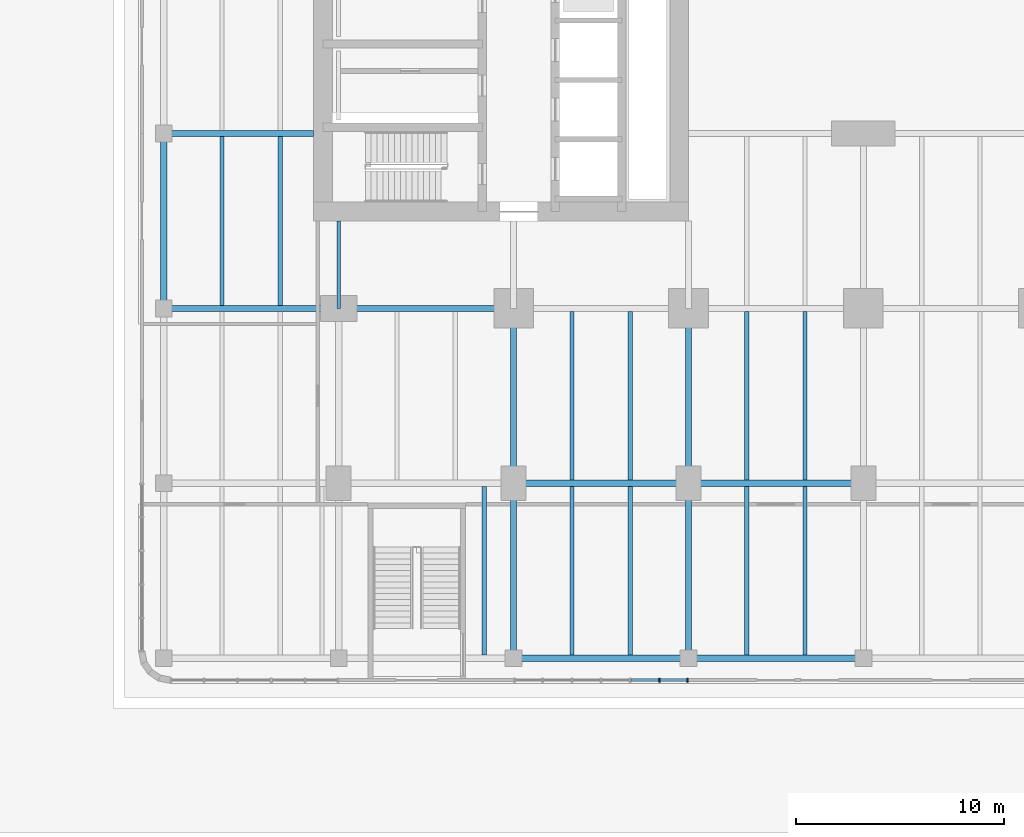
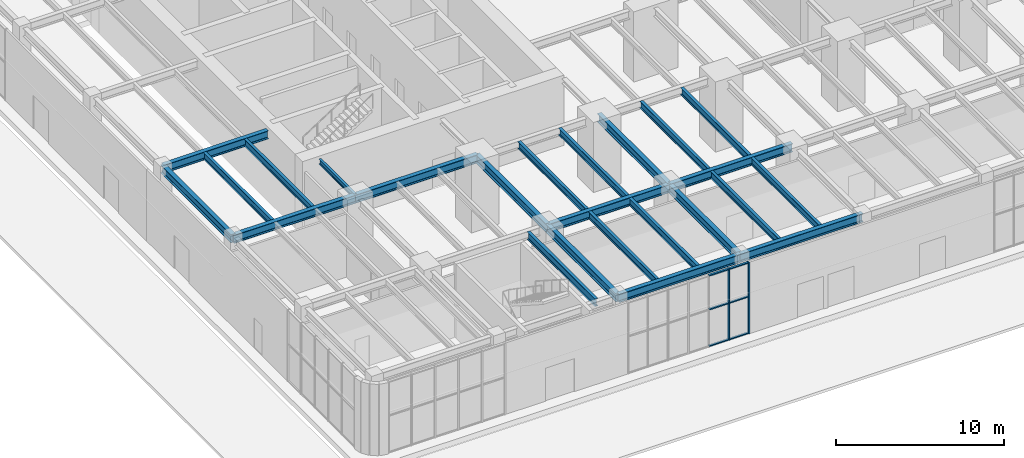
# One storey, part 3 of 31: 24 beams, 8 members, 1 element without a shape of its own.
"""IFC4 building model written with IfcOpenShell, lengths in metres."""

from ifc_helpers import new_model, si_unit, direction, frame, origin, origin_2d, place, context, subcontext, project, spatial, rectangle, i_section, extrude, material, material_profile, profile_set, type_object, element, aggregate, save


model = new_model("IFC4")

# Units and contexts
model_context = context("Model", 3, precision=1e-05, world=origin(), true_north=direction((0.0, 1.0)))
body_context = subcontext(model_context, "Body", "Model", "MODEL_VIEW")
ifc_project = project(units=[si_unit("LENGTHUNIT", "METRE"), si_unit("AREAUNIT", "SQUARE_METRE"), si_unit("VOLUMEUNIT", "CUBIC_METRE"), si_unit("PLANEANGLEUNIT", "RADIAN"), si_unit("MASSUNIT", "GRAM", prefix="KILO")], contexts=[model_context])

# Site, building, storey
site_placement = place(None, origin())
site = spatial("IfcSite", under=ifc_project, at=site_placement, CompositionType="ELEMENT")
building_placement = place(site_placement, origin())
building = spatial("IfcBuilding", under=site, at=building_placement, Name="Claustro Exchange Tower", CompositionType="ELEMENT")
storey_placement = place(building_placement, origin())
storey = spatial("IfcBuildingStorey", under=building, at=storey_placement, Name="L00", CompositionType="ELEMENT", Elevation=0.0)

# Beams
ifc_material_1 = material(Name="Steel S355", Category="steel")
ifc_material_profile_1 = material_profile(ifc_material_1, i_section(OverallWidth=0.300048828125, OverallDepth=0.60009765625, WebThickness=0.015380859375, FlangeThickness=0.030029296875, FilletRadius=0.027099609375, at=origin_2d()), Name="HE 600 B")
ifc_profile_set_1 = profile_set([ifc_material_profile_1], Name="Steel S355")
beam_type_1 = type_object("IfcBeamType", Name="B1 HE 600 B floor girder", PredefinedType="BEAM", material=ifc_profile_set_1)
beam_1_placement = place(storey_placement, frame((-8.39990234375, 8.39990234375, 4.89990234375), z_axis=(0.0, 1.0, 0.0), x_axis=(-1.0, 0.0, 0.0)))
element("IfcBeam", 1, at=beam_1_placement, inside=storey, type_object=beam_type_1, Name="Beam B1 L01", PredefinedType="BEAM", context=body_context, shape_type="SweptSolid", body=[
    extrude(i_section(OverallWidth=0.300048828125, OverallDepth=0.60009765625, WebThickness=0.015380859375, FlangeThickness=0.030029296875, FilletRadius=0.027099609375, at=origin_2d()), origin(), (0.0, 0.0, 1.0), 8.400146484375),
])
for number, where, z_axis, x_axis, name in (
    (2, (8.39990234375, -8.39990234375, 4.89990234375), (0.0, 1.0, 0.0), (-1.0, 0.0, 0.0), "Beam B1 L01"),
    (3, (8.39990234375, 0.0, 4.89990234375), (0.0, 1.0, 0.0), (-1.0, 0.0, 0.0), "Beam B1 L01"),
    (4, (16.800048828125, -8.39990234375, 4.89990234375), (0.0, 1.0, 0.0), (-1.0, 0.0, 0.0), "Beam B1 L01"),
    (5, (16.800048828125, 0.0, 4.89990234375), (0.0, 1.0, 0.0), (-1.0, 0.0, 0.0), "Beam B1 L01"),
):
    element("IfcBeam", number, at=place(storey_placement, frame(where, z_axis=z_axis, x_axis=x_axis)), inside=storey, type_object=beam_type_1, Name=name, PredefinedType="BEAM", context=body_context, shape_type="SweptSolid", body=[
        extrude(i_section(OverallWidth=0.300048828125, OverallDepth=0.60009765625, WebThickness=0.015380859375, FlangeThickness=0.030029296875, FilletRadius=0.027099609375, at=origin_2d()), origin(), (0.0, 0.0, 1.0), 8.39990234375),
    ])
beam_2_placement = place(storey_placement, frame((8.39990234375, -8.39990234375, 4.89990234375), z_axis=(1.0, 0.0, 0.0), x_axis=(0.0, 1.0, 0.0)))
element("IfcBeam", 6, at=beam_2_placement, inside=storey, type_object=beam_type_1, Name="Beam B1 L01", PredefinedType="BEAM", context=body_context, shape_type="SweptSolid", body=[
    extrude(i_section(OverallWidth=0.300048828125, OverallDepth=0.60009765625, WebThickness=0.015380859375, FlangeThickness=0.030029296875, FilletRadius=0.027099609375, at=origin_2d()), origin(), (0.0, 0.0, 1.0), 8.400146484375),
])
beam_3_placement = place(storey_placement, frame((16.800048828125, -8.39990234375, 4.89990234375), z_axis=(1.0, 0.0, 0.0), x_axis=(0.0, 1.0, 0.0)))
element("IfcBeam", 7, at=beam_3_placement, inside=storey, type_object=beam_type_1, Name="Beam B1 L01", PredefinedType="BEAM", context=body_context, shape_type="SweptSolid", body=[
    extrude(i_section(OverallWidth=0.300048828125, OverallDepth=0.60009765625, WebThickness=0.015380859375, FlangeThickness=0.030029296875, FilletRadius=0.027099609375, at=origin_2d()), origin(), (0.0, 0.0, 1.0), 8.39990234375),
])
beam_4_placement = place(storey_placement, frame((8.39990234375, 0.0, 4.89990234375), z_axis=(1.0, 0.0, 0.0), x_axis=(0.0, 1.0, 0.0)))
element("IfcBeam", 8, at=beam_4_placement, inside=storey, type_object=beam_type_1, Name="Beam B1 L01", PredefinedType="BEAM", context=body_context, shape_type="SweptSolid", body=[
    extrude(i_section(OverallWidth=0.300048828125, OverallDepth=0.60009765625, WebThickness=0.015380859375, FlangeThickness=0.030029296875, FilletRadius=0.027099609375, at=origin_2d()), origin(), (0.0, 0.0, 1.0), 8.400146484375),
])
for number, where, z_axis, x_axis, name in (
    (9, (16.800048828125, 0.0, 4.89990234375), (1.0, 0.0, 0.0), (0.0, 1.0, 0.0), "Beam B1 L01"),
    (10, (-8.39990234375, 8.39990234375, 4.89990234375), (1.0, 0.0, 0.0), (0.0, 1.0, 0.0), "Beam B1 L01"),
    (11, (0.0, 8.39990234375, 4.89990234375), (1.0, 0.0, 0.0), (0.0, 1.0, 0.0), "Beam B1 L01"),
):
    element("IfcBeam", number, at=place(storey_placement, frame(where, z_axis=z_axis, x_axis=x_axis)), inside=storey, type_object=beam_type_1, Name=name, PredefinedType="BEAM", context=body_context, shape_type="SweptSolid", body=[
        extrude(i_section(OverallWidth=0.300048828125, OverallDepth=0.60009765625, WebThickness=0.015380859375, FlangeThickness=0.030029296875, FilletRadius=0.027099609375, at=origin_2d()), origin(), (0.0, 0.0, 1.0), 8.39990234375),
    ])
beam_5_placement = place(storey_placement, frame((-8.39990234375, 16.800048828125, 4.89990234375), z_axis=(1.0, 0.0, 0.0), x_axis=(0.0, 1.0, 0.0)))
element("IfcBeam", 12, at=beam_5_placement, inside=storey, type_object=beam_type_1, Name="Beam B1 L01", PredefinedType="BEAM", context=body_context, shape_type="SweptSolid", body=[
    extrude(i_section(OverallWidth=0.300048828125, OverallDepth=0.60009765625, WebThickness=0.015380859375, FlangeThickness=0.030029296875, FilletRadius=0.027099609375, at=origin_2d()), origin(), (0.0, 0.0, 1.0), 7.199951171875),
])
ifc_material_2 = material(Name="Steel S355", Category="steel")
ifc_material_profile_2 = material_profile(ifc_material_2, i_section(OverallWidth=0.169921875, OverallDepth=0.360107421875, WebThickness=0.008056640625, FlangeThickness=0.0126953125, FilletRadius=0.01806640625, at=origin_2d()), Name="IPE 360")
ifc_profile_set_2 = profile_set([ifc_material_profile_2], Name="Steel S355")
beam_type_2 = type_object("IfcBeamType", Name="B16 IPE 360 short-span beam", PredefinedType="BEAM", material=ifc_profile_set_2)
beam_6_placement = place(storey_placement, frame((0.0, 8.39990234375, 5.02001953125), z_axis=(0.0, 1.0, 0.0), x_axis=(-1.0, 0.0, 0.0)))
element("IfcBeam", 13, at=beam_6_placement, inside=storey, type_object=beam_type_2, Name="Beam B16 L01", PredefinedType="BEAM", context=body_context, shape_type="SweptSolid", body=[
    extrude(i_section(OverallWidth=0.169921875, OverallDepth=0.360107421875, WebThickness=0.008056640625, FlangeThickness=0.0126953125, FilletRadius=0.01806640625, at=origin_2d()), origin(), (0.0, 0.0, 1.0), 4.2001953125),
])
ifc_material_3 = material(Name="Steel S355", Category="steel")
ifc_material_profile_3 = material_profile(ifc_material_3, i_section(OverallWidth=0.199951171875, OverallDepth=0.5, WebThickness=0.01025390625, FlangeThickness=0.01611328125, FilletRadius=0.02099609375, at=origin_2d()), Name="IPE 500")
ifc_profile_set_3 = profile_set([ifc_material_profile_3], Name="Steel S355")
beam_type_3 = type_object("IfcBeamType", Name="B2 IPE 500 secondary beam", PredefinedType="BEAM", material=ifc_profile_set_3)
for number, where, z_axis, x_axis, name in (
    (14, (-5.60009765625, 8.550048828125, 4.949951171875), (0.0, 1.0, 0.0), (-1.0, 0.0, 0.0), "Beam B2 L01"),
    (15, (-2.800048828125, 8.550048828125, 4.949951171875), (0.0, 1.0, 0.0), (-1.0, 0.0, 0.0), "Beam B2 L01"),
):
    element("IfcBeam", number, at=place(storey_placement, frame(where, z_axis=z_axis, x_axis=x_axis)), inside=storey, type_object=beam_type_3, Name=name, PredefinedType="BEAM", context=body_context, shape_type="SweptSolid", body=[
        extrude(i_section(OverallWidth=0.199951171875, OverallDepth=0.5, WebThickness=0.01025390625, FlangeThickness=0.01611328125, FilletRadius=0.02099609375, at=origin_2d()), origin(), (0.0, 0.0, 1.0), 8.099853515625),
    ])
for number, where, z_axis, x_axis, name in (
    (16, (11.199951171875, -8.25, 4.949951171875), (0.0, 1.0, 0.0), (-1.0, 0.0, 0.0), "Beam B2 L01"),
    (17, (14.0, -8.25, 4.949951171875), (0.0, 1.0, 0.0), (-1.0, 0.0, 0.0), "Beam B2 L01"),
    (18, (11.199951171875, 0.14990234375, 4.949951171875), (0.0, 1.0, 0.0), (-1.0, 0.0, 0.0), "Beam B2 L01"),
    (19, (14.0, 0.14990234375, 4.949951171875), (0.0, 1.0, 0.0), (-1.0, 0.0, 0.0), "Beam B2 L01"),
    (20, (19.60009765625, -8.25, 4.949951171875), (0.0, 1.0, 0.0), (-1.0, 0.0, 0.0), "Beam B2 L01"),
    (21, (22.39990234375, -8.25, 4.949951171875), (0.0, 1.0, 0.0), (-1.0, 0.0, 0.0), "Beam B2 L01"),
    (22, (19.60009765625, 0.14990234375, 4.949951171875), (0.0, 1.0, 0.0), (-1.0, 0.0, 0.0), "Beam B2 L01"),
    (23, (22.39990234375, 0.14990234375, 4.949951171875), (0.0, 1.0, 0.0), (-1.0, 0.0, 0.0), "Beam B2 L01"),
):
    element("IfcBeam", number, at=place(storey_placement, frame(where, z_axis=z_axis, x_axis=x_axis)), inside=storey, type_object=beam_type_3, Name=name, PredefinedType="BEAM", context=body_context, shape_type="SweptSolid", body=[
        extrude(i_section(OverallWidth=0.199951171875, OverallDepth=0.5, WebThickness=0.01025390625, FlangeThickness=0.01611328125, FilletRadius=0.02099609375, at=origin_2d()), origin(), (0.0, 0.0, 1.0), 8.10009765625),
    ])
ifc_material_4 = material(Name="Steel S355", Category="steel")
ifc_material_profile_4 = material_profile(ifc_material_4, i_section(OverallWidth=0.2099609375, OverallDepth=0.550048828125, WebThickness=0.010986328125, FlangeThickness=0.01708984375, FilletRadius=0.02392578125, at=origin_2d()), Name="IPE 550")
ifc_profile_set_4 = profile_set([ifc_material_profile_4], Name="Steel S355")
beam_type_4 = type_object("IfcBeamType", Name="B28 IPE 550 podium stair trimmer", PredefinedType="BEAM", material=ifc_profile_set_4)
beam_7_placement = place(storey_placement, frame((7.0, -8.25, 4.925048828125), z_axis=(0.0, 1.0, 0.0), x_axis=(-1.0, 0.0, 0.0)))
element("IfcBeam", 24, at=beam_7_placement, inside=storey, type_object=beam_type_4, Name="Beam B28 trimmer STP1 L01", PredefinedType="BEAM", context=body_context, shape_type="SweptSolid", body=[
    extrude(i_section(OverallWidth=0.2099609375, OverallDepth=0.550048828125, WebThickness=0.010986328125, FlangeThickness=0.01708984375, FilletRadius=0.02392578125, at=origin_2d()), origin(), (0.0, 0.0, 1.0), 8.10009765625),
])

# Curtain wall, members
ifc_material_5 = material(Name="Aluminium frame, clear double glazing", Category="aluminium")
curtain_wall_type = type_object("IfcCurtainWallType", Name="CW1 storefront curtain wall", PredefinedType="USERDEFINED", material=ifc_material_5)
curtain_wall_placement = place(storey_placement, origin())
curtain_wall = element("IfcCurtainWall", 25, at=curtain_wall_placement, inside=storey, type_object=curtain_wall_type, Name="Curtain wall CW1 L00", ObjectType="STICK CURTAIN WALL", PredefinedType="USERDEFINED")
ifc_material_6 = material(Name="Aluminium mullion", Category="aluminium")
ifc_material_profile_5 = material_profile(ifc_material_6, rectangle(XDim=0.199951171875, YDim=0.074951171875, at=origin_2d()), Name="CW1-M 75x200")
ifc_profile_set_5 = profile_set([ifc_material_profile_5], Name="Aluminium mullion")
member_type_1 = type_object("IfcMemberType", Name="CW1-M 75 x 200 mullion", PredefinedType="MULLION", material=ifc_profile_set_5)
member_1_placement = place(storey_placement, frame((15.39990234375, -9.449951171875, 0.0), z_axis=(0.0, 0.0, 1.0), x_axis=(0.0, 1.0, 0.0)))
member_1 = element("IfcMember", 26, at=member_1_placement, type_object=member_type_1, Name="CW1 mullion 6", PredefinedType="MULLION", context=body_context, shape_type="SweptSolid", body=[
    extrude(rectangle(XDim=0.199951171875, YDim=0.074951171875, at=origin_2d()), origin(), (0.0, 0.0, 1.0), 5.199951171875),
])
member_2_placement = place(storey_placement, frame((16.762451171875, -9.449951171875, 0.0), z_axis=(0.0, 0.0, 1.0), x_axis=(0.0, 1.0, 0.0)))
member_2 = element("IfcMember", 27, at=member_2_placement, type_object=member_type_1, Name="CW1 mullion 7", PredefinedType="MULLION", context=body_context, shape_type="SweptSolid", body=[
    extrude(rectangle(XDim=0.199951171875, YDim=0.074951171875, at=origin_2d()), origin(), (0.0, 0.0, 1.0), 5.199951171875),
])
ifc_material_7 = material(Name="Aluminium transom", Category="aluminium")
ifc_material_profile_6 = material_profile(ifc_material_7, rectangle(XDim=0.14990234375, YDim=0.074951171875, at=origin_2d()), Name="CW1-T 75x150")
ifc_profile_set_6 = profile_set([ifc_material_profile_6], Name="Aluminium transom")
member_type_2 = type_object("IfcMemberType", Name="CW1-T 75 x 150 transom", PredefinedType="USERDEFINED", material=ifc_profile_set_6)
member_3_placement = place(storey_placement, frame((14.03759765625, -9.449951171875, 0.03759765625), z_axis=(1.0, 0.0, 0.0), x_axis=(0.0, 1.0, 0.0)))
member_3 = element("IfcMember", 28, at=member_3_placement, type_object=member_type_2, Name="CW1 transom 5.1", ObjectType="TRANSOM", PredefinedType="USERDEFINED", context=body_context, shape_type="SweptSolid", body=[
    extrude(rectangle(XDim=0.14990234375, YDim=0.074951171875, at=origin_2d()), origin(), (0.0, 0.0, 1.0), 1.324951171875),
])
member_4_placement = place(storey_placement, frame((14.03759765625, -9.449951171875, 2.699951171875), z_axis=(1.0, 0.0, 0.0), x_axis=(0.0, 1.0, 0.0)))
member_4 = element("IfcMember", 29, at=member_4_placement, type_object=member_type_2, Name="CW1 transom 5.2", ObjectType="TRANSOM", PredefinedType="USERDEFINED", context=body_context, shape_type="SweptSolid", body=[
    extrude(rectangle(XDim=0.14990234375, YDim=0.074951171875, at=origin_2d()), origin(), (0.0, 0.0, 1.0), 1.324951171875),
])
member_5_placement = place(storey_placement, frame((14.03759765625, -9.449951171875, 5.16259765625), z_axis=(1.0, 0.0, 0.0), x_axis=(0.0, 1.0, 0.0)))
member_5 = element("IfcMember", 30, at=member_5_placement, type_object=member_type_2, Name="CW1 transom 5.3", ObjectType="TRANSOM", PredefinedType="USERDEFINED", context=body_context, shape_type="SweptSolid", body=[
    extrude(rectangle(XDim=0.14990234375, YDim=0.074951171875, at=origin_2d()), origin(), (0.0, 0.0, 1.0), 1.324951171875),
])
member_6_placement = place(storey_placement, frame((15.4375, -9.449951171875, 0.03759765625), z_axis=(1.0, 0.0, 0.0), x_axis=(0.0, 1.0, 0.0)))
member_6 = element("IfcMember", 31, at=member_6_placement, type_object=member_type_2, Name="CW1 transom 6.1", ObjectType="TRANSOM", PredefinedType="USERDEFINED", context=body_context, shape_type="SweptSolid", body=[
    extrude(rectangle(XDim=0.14990234375, YDim=0.074951171875, at=origin_2d()), origin(), (0.0, 0.0, 1.0), 1.28759765625),
])
member_7_placement = place(storey_placement, frame((15.4375, -9.449951171875, 2.699951171875), z_axis=(1.0, 0.0, 0.0), x_axis=(0.0, 1.0, 0.0)))
member_7 = element("IfcMember", 32, at=member_7_placement, type_object=member_type_2, Name="CW1 transom 6.2", ObjectType="TRANSOM", PredefinedType="USERDEFINED", context=body_context, shape_type="SweptSolid", body=[
    extrude(rectangle(XDim=0.14990234375, YDim=0.074951171875, at=origin_2d()), origin(), (0.0, 0.0, 1.0), 1.28759765625),
])
member_8_placement = place(storey_placement, frame((15.4375, -9.449951171875, 5.16259765625), z_axis=(1.0, 0.0, 0.0), x_axis=(0.0, 1.0, 0.0)))
member_8 = element("IfcMember", 33, at=member_8_placement, type_object=member_type_2, Name="CW1 transom 6.3", ObjectType="TRANSOM", PredefinedType="USERDEFINED", context=body_context, shape_type="SweptSolid", body=[
    extrude(rectangle(XDim=0.14990234375, YDim=0.074951171875, at=origin_2d()), origin(), (0.0, 0.0, 1.0), 1.28759765625),
])
aggregate(curtain_wall, [member_1, member_2, member_3, member_4, member_5, member_6, member_7, member_8])

save(model, "model.ifc")
